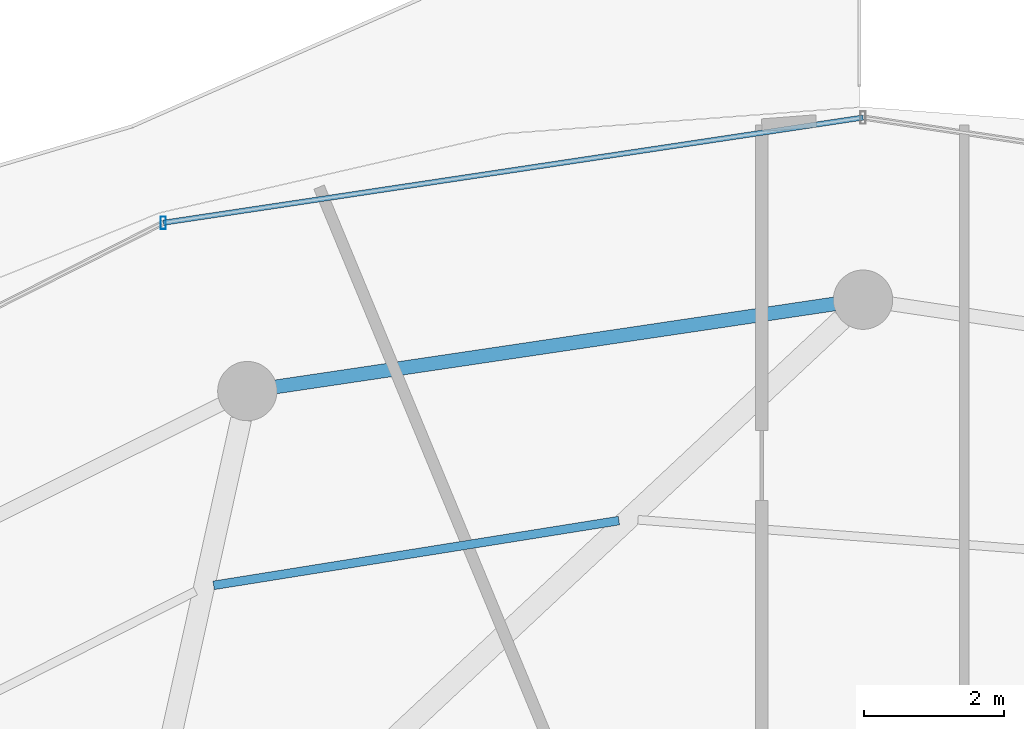
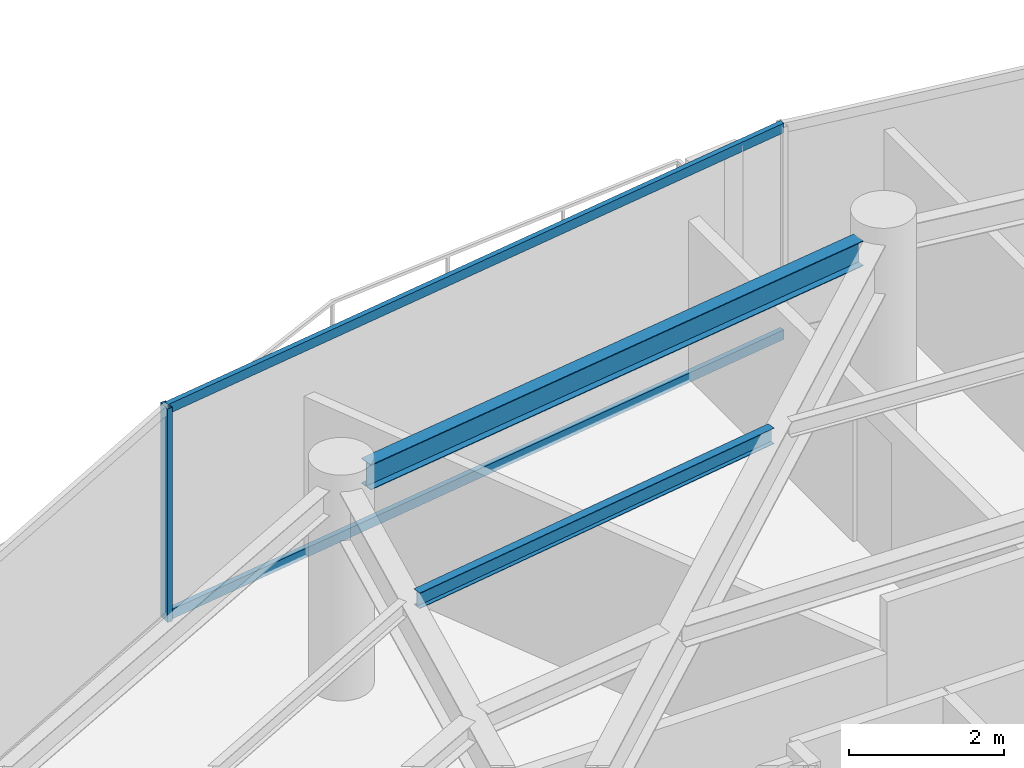
# One storey, part 16 of 29: 3 members, 2 beams, 1 element without a shape of its own.
"""IFC4 building model written with IfcOpenShell, lengths in metres."""

from ifc_helpers import new_model, si_unit, direction, frame, origin, origin_2d, place, context, subcontext, project, spatial, hollow_rectangle, i_section, extrude, material, material_profile, profile_set, type_object, element, aggregate, save


model = new_model("IFC4")

# Units and contexts
model_context = context("Model", 3, precision=1e-05, world=origin(), true_north=direction((0.0, 1.0)))
body_context = subcontext(model_context, "Body", "Model", "MODEL_VIEW")
ifc_project = project(units=[si_unit("LENGTHUNIT", "METRE"), si_unit("AREAUNIT", "SQUARE_METRE"), si_unit("VOLUMEUNIT", "CUBIC_METRE"), si_unit("PLANEANGLEUNIT", "RADIAN"), si_unit("MASSUNIT", "GRAM", prefix="KILO")], contexts=[model_context])

# Site, building, storey
site_placement = place(None, origin())
site = spatial("IfcSite", under=ifc_project, at=site_placement, CompositionType="ELEMENT")
building_placement = place(site_placement, origin())
building = spatial("IfcBuilding", under=site, at=building_placement, Name="Vorneva Point Tower", CompositionType="ELEMENT")
storey_placement = place(building_placement, frame((0.0, 0.0, 255.550048828125)))
storey = spatial("IfcBuildingStorey", under=building, at=storey_placement, Name="L69", CompositionType="ELEMENT", Elevation=255.550048828125)

# Beams
ifc_material_1 = material(Name="Steel S355", Category="steel")
ifc_material_profile_1 = material_profile(ifc_material_1, i_section(OverallWidth=0.1240234375, OverallDepth=0.248046875, WebThickness=0.0048828125, FlangeThickness=0.008056640625, at=origin_2d()), Name="25B1")
ifc_profile_set_1 = profile_set([ifc_material_profile_1], Name="Steel S355")
beam_type_1 = type_object("IfcBeamType", Name="BM-JST-25B1", PredefinedType="JOIST", material=ifc_profile_set_1)
beam_1_placement = place(storey_placement, frame((34.502197265625, 40.035400390625, 3.166015625), z_axis=(-0.987472742083, -0.157789681675, 0.0), x_axis=(0.157789681675, -0.987472742083, 0.0)))
element("IfcBeam", 1, at=beam_1_placement, inside=storey, type_object=beam_type_1, Name="L69 Secondary Floor Beam 1.05", PredefinedType="JOIST", context=body_context, shape_type="SweptSolid", body=[
    extrude(i_section(OverallWidth=0.1240234375, OverallDepth=0.248046875, WebThickness=0.0048828125, FlangeThickness=0.008056640625, at=origin_2d()), origin(), (0.0, 0.0, 1.0), 5.879638671875),
])
ifc_material_profile_2 = material_profile(ifc_material_1, i_section(OverallWidth=0.198974609375, OverallDepth=0.39599609375, WebThickness=0.007080078125, FlangeThickness=0.010986328125, at=origin_2d()), Name="40B1")
ifc_profile_set_2 = profile_set([ifc_material_profile_2], Name="Steel S355")
beam_type_2 = type_object("IfcBeamType", Name="BM-SPN-40B1", PredefinedType="SPANDREL", material=ifc_profile_set_2)
beam_2_placement = place(storey_placement, frame((37.594482421875, 43.139892578125, 3.092041015625), z_axis=(-0.989161657331, -0.146830567886, 0.0), x_axis=(0.146830567886, -0.989161657331, 0.0)))
element("IfcBeam", 2, at=beam_2_placement, inside=storey, type_object=beam_type_2, Name="L69 Perimeter Spandrel Ring Beam 05", PredefinedType="SPANDREL", context=body_context, shape_type="SweptSolid", body=[
    extrude(i_section(OverallWidth=0.198974609375, OverallDepth=0.39599609375, WebThickness=0.007080078125, FlangeThickness=0.010986328125, at=origin_2d()), origin(), (0.0, 0.0, 1.0), 8.097412109375),
])

# Curtain wall, members
ifc_material_2 = material(Name="Pale anodised aluminium", Category="aluminium")
curtain_wall_type = type_object("IfcCurtainWallType", Name="CW-RES-SYS", PredefinedType="NOTDEFINED", material=ifc_material_2)
curtain_wall_placement = place(storey_placement, origin())
curtain_wall = element("IfcCurtainWall", 3, at=curtain_wall_placement, inside=storey, type_object=curtain_wall_type, Name="L69 Unitised Curtain Wall CW-L69-R02", PredefinedType="NOTDEFINED")
ifc_material_profile_3 = material_profile(ifc_material_2, hollow_rectangle(XDim=0.074951171875, YDim=0.179931640625, WallThickness=0.00390625, at=origin_2d()), Name="AL-MUL 180x75x4")
ifc_profile_set_3 = profile_set([ifc_material_profile_3], Name="Pale anodised aluminium")
member_type_1 = type_object("IfcMemberType", Name="CW-MUL-180", PredefinedType="MULLION", material=ifc_profile_set_3)
member_1_placement = place(storey_placement, frame((27.9736328125, 44.302001953125, -0.0400390625), z_axis=(0.0, 0.0, 1.0), x_axis=(1.0, 0.0, 0.0)))
member_1 = element("IfcMember", 4, at=member_1_placement, type_object=member_type_1, Name="CW-L69-R02 Mullion 04", PredefinedType="MULLION", context=body_context, shape_type="SweptSolid", body=[
    extrude(hollow_rectangle(XDim=0.074951171875, YDim=0.179931640625, WallThickness=0.00390625, at=origin_2d()), origin(), (0.0, 0.0, 1.0), 3.360107421875),
])
ifc_material_profile_4 = material_profile(ifc_material_2, hollow_rectangle(XDim=0.074951171875, YDim=0.14990234375, WallThickness=0.00390625, at=origin_2d()), Name="AL-TRN 150x75x4")
ifc_profile_set_4 = profile_set([ifc_material_profile_4], Name="Pale anodised aluminium")
member_type_2 = type_object("IfcMemberType", Name="CW-TRN-150", PredefinedType="USERDEFINED", material=ifc_profile_set_4)
member_2_placement = place(storey_placement, frame((38.0, 45.81005859375, 0.02001953125), z_axis=(-0.988876929856, -0.148736066907, 0.0), x_axis=(0.148736066907, -0.988876929856, 0.0)))
member_2 = element("IfcMember", 5, at=member_2_placement, type_object=member_type_2, Name="CW-L69-R02 Transom 03.1", ObjectType="TRANSOM", PredefinedType="USERDEFINED", context=body_context, shape_type="SweptSolid", body=[
    extrude(hollow_rectangle(XDim=0.074951171875, YDim=0.14990234375, WallThickness=0.00390625, at=origin_2d()), origin(), (0.0, 0.0, 1.0), 10.13916015625),
])
member_3_placement = place(storey_placement, frame((38.0, 45.81005859375, 3.27001953125), z_axis=(-0.988876929856, -0.148736066907, 0.0), x_axis=(0.148736066907, -0.988876929856, 0.0)))
member_3 = element("IfcMember", 6, at=member_3_placement, type_object=member_type_2, Name="CW-L69-R02 Transom 03.2", ObjectType="TRANSOM", PredefinedType="USERDEFINED", context=body_context, shape_type="SweptSolid", body=[
    extrude(hollow_rectangle(XDim=0.074951171875, YDim=0.14990234375, WallThickness=0.00390625, at=origin_2d()), origin(), (0.0, 0.0, 1.0), 10.13916015625),
])
aggregate(curtain_wall, [member_1, member_2, member_3])

save(model, "model.ifc")
